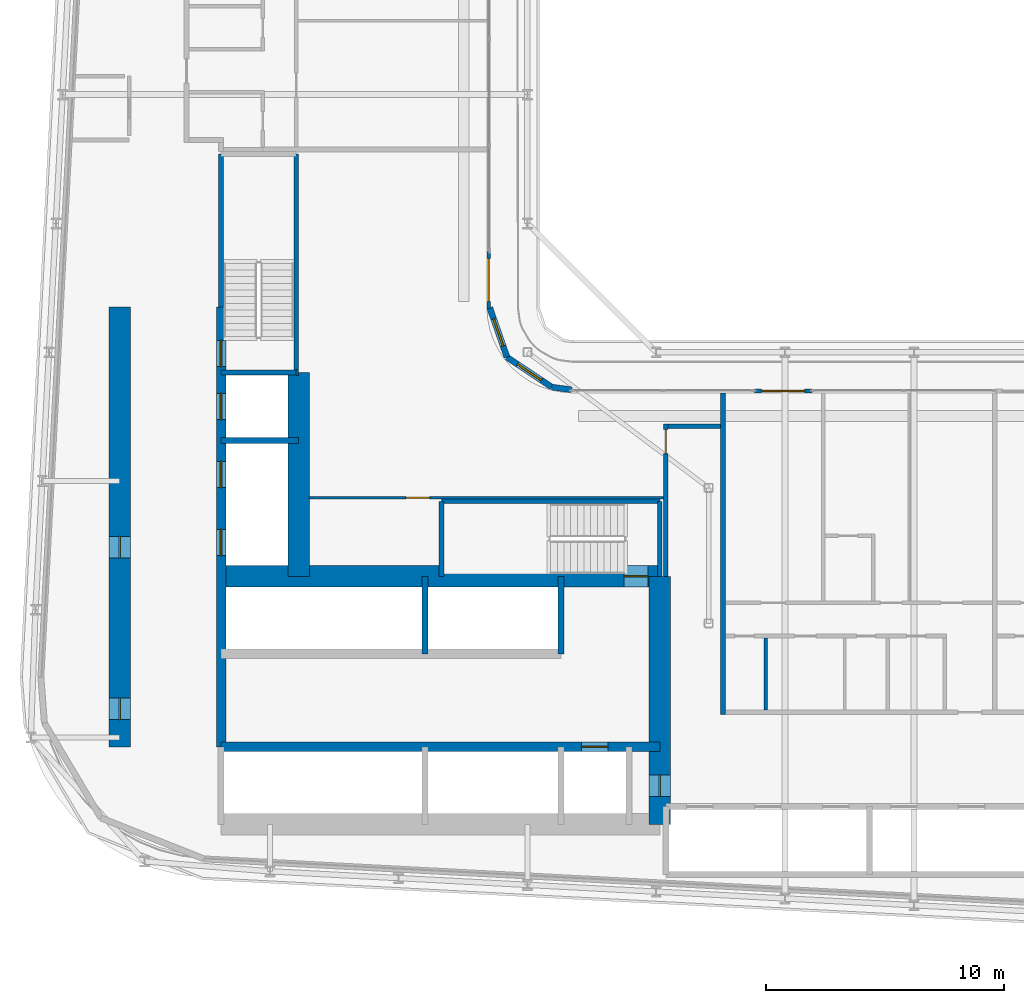
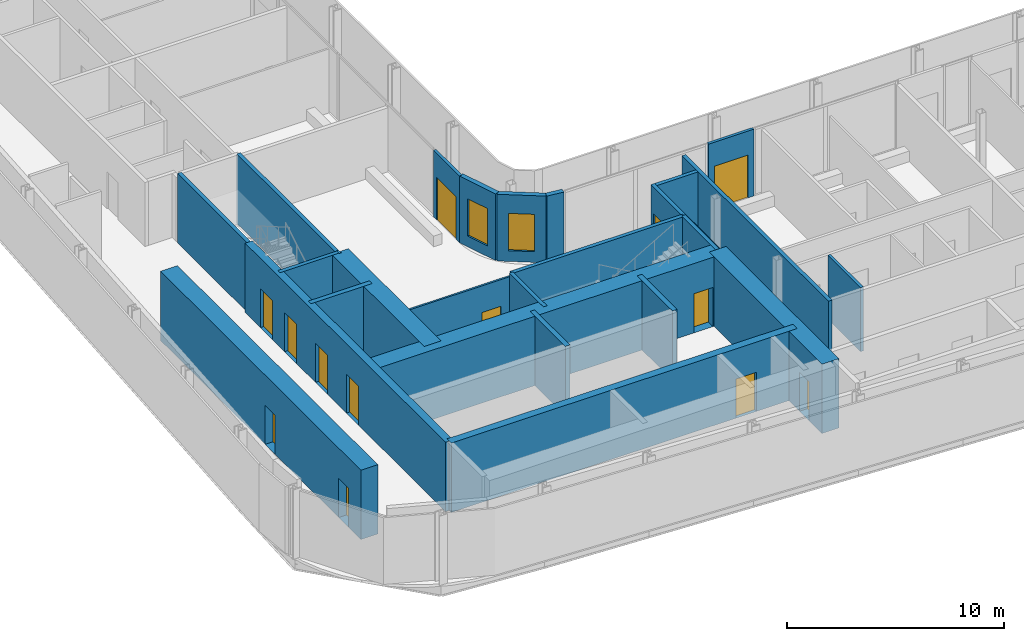
# One storey, part 12 of 25: 26 walls, 13 doors, 2 windows, 15 openings.
"""IFC4 building model written with IfcOpenShell, lengths in metres."""

import ifcopenshell
import ifcopenshell.guid

model = None  # the IFC model being written
_history = None  # IfcOwnerHistory: only IFC2X3 demands one
_inside = {}  # id of a spatial element -> (the spatial element, [elements in it])
_under = {}  # id of a project, library or spatial element -> (it, [spatial elements below it])
_declared = {}  # id of a project -> (the project, [libraries it declares])
_typed = {}  # id of a type object -> (the type object, [elements of that type])
_made_of = {}  # id of a material, layer set ... -> (it, [elements and type objects made of it])


def new_model(schema):
    """Start an empty IFC model of exactly this schema.

    Asked for "IFC4X3", IfcOpenShell would pick the latest addendum, in which some entities
    have other attributes; the version numbers below select the first issue.
    IFC2X3 requires an IfcOwnerHistory on every rooted entity: one is made here for all.
    """
    global model, _history
    if schema == "IFC4X3":
        model = ifcopenshell.file(schema_version=(4, 3, 0, 0))
    else:
        model = ifcopenshell.file(schema=schema)
    _inside.clear()
    _under.clear()
    _declared.clear()
    _typed.clear()
    _made_of.clear()
    _history = None
    if model.schema == "IFC2X3":
        org = make("IfcOrganization", Name="unknown")
        user = make(
            "IfcPersonAndOrganization",
            ThePerson=make("IfcPerson", FamilyName="unknown"),
            TheOrganization=org,
        )
        app = make(
            "IfcApplication",
            ApplicationDeveloper=org,
            Version="unknown",
            ApplicationFullName="unknown",
            ApplicationIdentifier="unknown",
        )
        _history = make(
            "IfcOwnerHistory",
            OwningUser=user,
            OwningApplication=app,
            ChangeAction="ADDED",
            CreationDate=0,
        )
    return model


def make(cls, **values):
    """One entity of the class cls with the attributes given. An attribute that is None is left unset."""
    return model.create_entity(
        cls, **{name: value for name, value in values.items() if value is not None}
    )


def rooted(cls, **values):
    """An entity with a GlobalId (a new one), such as an element, a storey or a relation."""
    return make(cls, GlobalId=ifcopenshell.guid.new(), OwnerHistory=_history, **values)


def si_unit(unit_type, name, prefix=None):
    """IfcSIUnit, for example si_unit("LENGTHUNIT", "METRE", prefix="MILLI")."""
    return make("IfcSIUnit", UnitType=unit_type, Prefix=prefix, Name=name)


def assignment(units):
    """IfcUnitAssignment: the units of a project."""
    return None if units is None else make("IfcUnitAssignment", Units=units)


def point(xyz):
    """IfcCartesianPoint."""
    return None if xyz is None else make("IfcCartesianPoint", Coordinates=xyz)


def direction(xyz):
    """IfcDirection."""
    return None if xyz is None else make("IfcDirection", DirectionRatios=xyz)


def frame(location, z_axis=None, x_axis=None):
    """IfcAxis2Placement3D, a coordinate frame: its origin and axes. An axis left out is left unset."""
    return make(
        "IfcAxis2Placement3D",
        Location=point(location),
        Axis=direction(z_axis),
        RefDirection=direction(x_axis),
    )


def frame_2d(location, x_axis=None):
    """IfcAxis2Placement2D, a coordinate frame in the plane: its origin and x axis."""
    return make(
        "IfcAxis2Placement2D", Location=point(location), RefDirection=direction(x_axis)
    )


def origin():
    """The frame at (0, 0, 0) with its axes left unset."""
    return frame((0.0, 0.0, 0.0))


def place(relative_to, where):
    """IfcLocalPlacement: puts the frame where relative to a parent placement (None: the world)."""
    return make(
        "IfcLocalPlacement", PlacementRelTo=relative_to, RelativePlacement=where
    )


def context(
    kind, dimensions, precision=None, world=None, true_north=None, identifier=None
):
    """IfcGeometricRepresentationContext, for example the 3D "Model" context."""
    return make(
        "IfcGeometricRepresentationContext",
        ContextIdentifier=identifier,
        ContextType=kind,
        CoordinateSpaceDimension=dimensions,
        Precision=precision,
        WorldCoordinateSystem=world,
        TrueNorth=true_north,
    )


def subcontext(parent, identifier, kind, view, scale=None):
    """IfcGeometricRepresentationSubContext, for example "Body" below "Model"."""
    return make(
        "IfcGeometricRepresentationSubContext",
        ContextIdentifier=identifier,
        ContextType=kind,
        ParentContext=parent,
        TargetScale=scale,
        TargetView=view,
    )


def project(units=None, contexts=None):
    """IfcProject with its units and contexts."""
    return rooted(
        "IfcProject",
        Name="project",
        RepresentationContexts=contexts,
        UnitsInContext=assignment(units),
    )


def spatial(cls, under=None, at=None, **own):
    """A site, building, storey or space (cls), placed at a placement, below another one or the project."""
    s = rooted(cls, ObjectPlacement=at, **own)
    if under is not None:
        _under.setdefault(under.id(), (under, []))[1].append(s)
    return s


def profile(cls, at=None, kind="AREA", **sizes):
    """A parametric profile (cls). Its sizes go by their IFC names, for example OverallWidth=200.0."""
    return make(cls, ProfileType=kind, Position=at, **sizes)


def rectangle(**sizes):
    """IfcRectangleProfileDef."""
    return profile("IfcRectangleProfileDef", **sizes)


def extrude(swept, where, along, depth):
    """IfcExtrudedAreaSolid: the profile swept, set in the frame where, extruded along a direction by depth."""
    return make(
        "IfcExtrudedAreaSolid",
        SweptArea=swept,
        Position=where,
        ExtrudedDirection=direction(along),
        Depth=depth,
    )


def shape(context_of_items, identifier, shape_type, items):
    """IfcShapeRepresentation: the items that make up one representation, for example the "Body"."""
    return make(
        "IfcShapeRepresentation",
        ContextOfItems=context_of_items,
        RepresentationIdentifier=identifier,
        RepresentationType=shape_type,
        Items=items,
    )


def source(mapping_origin, context_of_items, identifier, shape_type, items):
    """IfcRepresentationMap: a shape defined once, which mapped items show again and again."""
    return make(
        "IfcRepresentationMap",
        MappingOrigin=mapping_origin,
        MappedRepresentation=shape(context_of_items, identifier, shape_type, items),
    )


def transform(
    local_origin,
    x_axis=None,
    y_axis=None,
    z_axis=None,
    scale=None,
    scale2=None,
    scale3=None,
    uniform=True,
):
    """IfcCartesianTransformationOperator3D, or its non-uniform kind. x_axis, y_axis, z_axis: its Axis1, 2, 3."""
    if uniform:
        return make(
            "IfcCartesianTransformationOperator3D",
            Axis1=direction(x_axis),
            Axis2=direction(y_axis),
            LocalOrigin=point(local_origin),
            Scale=scale,
            Axis3=direction(z_axis),
        )
    return make(
        "IfcCartesianTransformationOperator3DnonUniform",
        Axis1=direction(x_axis),
        Axis2=direction(y_axis),
        LocalOrigin=point(local_origin),
        Scale=scale,
        Axis3=direction(z_axis),
        Scale2=scale2,
        Scale3=scale3,
    )


def mapped(mapping_source, mapping_target):
    """IfcMappedItem: shows the shape of a source again, moved by a transform."""
    return make(
        "IfcMappedItem", MappingSource=mapping_source, MappingTarget=mapping_target
    )


def material(Name=None, Category=None):
    """IfcMaterial."""
    return make("IfcMaterial", Name=Name, Category=Category)


def layer(
    of_material, thickness, ventilated=None, Name=None, Category=None, Priority=None
):
    """IfcMaterialLayer: one layer of a wall or slab, of a material (None: an air gap)."""
    return make(
        "IfcMaterialLayer",
        Material=of_material,
        LayerThickness=thickness,
        IsVentilated=ventilated,
        Name=Name,
        Category=Category,
        Priority=Priority,
    )


def layer_set(layers, Name=None):
    """IfcMaterialLayerSet."""
    return make("IfcMaterialLayerSet", MaterialLayers=layers, LayerSetName=Name)


def made_of(thing, what):
    """Note that an element or type object is made of a material, layer set ...; save() writes the relation."""
    if what is not None:
        _made_of.setdefault(what.id(), (what, []))[1].append(thing)
    return thing


def type_object(cls, material=None, **own):
    """A type object (cls), such as IfcWallType, which elements share."""
    return made_of(rooted(cls, **own), material)


def element(
    cls,
    number,
    at=None,
    inside=None,
    cuts=None,
    type_object=None,
    material=None,
    context=None,
    identifier="Body",
    shape_type=None,
    held_by="IfcProductDefinitionShape",
    body=None,
    shapes=None,
    **own,
):
    """One element of the class cls, such as IfcWall. Its Tag is "e" and its number.

    at: its placement. inside: the storey or other place that contains it. cuts: it is an
    opening in that element (IfcRelVoidsElement). A single representation is given by context,
    identifier, shape_type and body (its items); several are given by shapes. held_by: the class
    of the entity that holds the representations. save() writes the other relations.
    """
    e = rooted(cls, Tag="e%d" % number, ObjectPlacement=at, **own)
    if body is not None:
        shapes = [shape(context, identifier, shape_type, body)]
    if shapes is not None:
        e.Representation = make(held_by, Representations=shapes)
    if inside is not None:
        _inside.setdefault(inside.id(), (inside, []))[1].append(e)
    if cuts is not None:
        rooted(
            "IfcRelVoidsElement", RelatingBuildingElement=cuts, RelatedOpeningElement=e
        )
    if type_object is not None:
        _typed.setdefault(type_object.id(), (type_object, []))[1].append(e)
    return made_of(e, material)


def fill(opening, filler):
    """IfcRelFillsElement: the door or window that sits in an opening."""
    return rooted(
        "IfcRelFillsElement",
        RelatingOpeningElement=opening,
        RelatedBuildingElement=filler,
    )


def aggregate(whole, parts):
    """IfcRelAggregates: a whole, such as a stair, and the parts it consists of."""
    return rooted("IfcRelAggregates", RelatingObject=whole, RelatedObjects=parts)


def save(model, path):
    """Write the relations noted so far, then the file.

    IfcRelAggregates (storeys below a building ...), IfcRelContainedInSpatialStructure (elements
    in a storey), IfcRelDefinesByType, IfcRelAssociatesMaterial and IfcRelDeclares: one each for
    every whole, place, type object, material and project.
    """
    for whole, parts in _under.values():
        aggregate(whole, parts)
    for where, things in _inside.values():
        rooted(
            "IfcRelContainedInSpatialStructure",
            RelatedElements=things,
            RelatingStructure=where,
        )
    for kind, things in _typed.values():
        rooted("IfcRelDefinesByType", RelatedObjects=things, RelatingType=kind)
    for what, things in _made_of.values():
        rooted("IfcRelAssociatesMaterial", RelatedObjects=things, RelatingMaterial=what)
    for by, libraries in _declared.values():
        rooted("IfcRelDeclares", RelatingContext=by, RelatedDefinitions=libraries)
    model.write(path)


model = new_model("IFC4")

# Units and contexts
model_context = context("Model", 3, precision=1e-05, world=origin(), true_north=direction((0.0, 1.0)))
body_context = subcontext(model_context, "Body", "Model", "MODEL_VIEW")
ifc_project = project(units=[si_unit("LENGTHUNIT", "METRE"), si_unit("AREAUNIT", "SQUARE_METRE"), si_unit("VOLUMEUNIT", "CUBIC_METRE"), si_unit("PLANEANGLEUNIT", "RADIAN"), si_unit("MASSUNIT", "GRAM", prefix="KILO")], contexts=[model_context])

# Site, building, storey
site_placement = place(None, origin())
site = spatial("IfcSite", under=ifc_project, at=site_placement, CompositionType="ELEMENT")
building_placement = place(site_placement, origin())
building = spatial("IfcBuilding", under=site, at=building_placement, Name="Kheshtan School and Residences Tower", CompositionType="ELEMENT")
storey_placement = place(building_placement, frame((0.0, 0.0, 113.60009765625)))
storey = spatial("IfcBuildingStorey", under=building, at=storey_placement, Name="L26", CompositionType="ELEMENT", Elevation=113.60009765625)

# Wall, opening, door
ifc_material_1 = material(Name="Concrete C50/60", Category="concrete")
ifc_layer_1 = layer(ifc_material_1, 0.39990234375)
ifc_layer_set_1 = layer_set([ifc_layer_1], Name="Core wall 400 Concrete C50/60")
wall_type_1 = type_object("IfcWallType", Name="Core wall 400 Concrete C50/60", PredefinedType="SHEAR", material=ifc_layer_set_1)
wall_1_placement = place(storey_placement, frame((34.75, 29.050048828125, 0.0), z_axis=(0.0, 0.0, 1.0), x_axis=(1.0, 0.0, 0.0)))
wall_1 = element("IfcWall", 1, at=wall_1_placement, inside=storey, type_object=wall_type_1, Name="Core wall CW-HALL-S1", PredefinedType="SHEAR", context=body_context, shape_type="SweptSolid", body=[
    extrude(rectangle(XDim=18.39990234375, YDim=0.39990234375, at=frame_2d((9.199951171875, 0.0))), origin(), (0.0, 0.0, 1.0), 3.89990234375),
])
opening_1_placement = place(wall_1_placement, frame((15.125, 0.0, 0.0)))
opening_1 = element("IfcOpeningElement", 2, at=opening_1_placement, cuts=wall_1, Name="Opening LD", PredefinedType="OPENING", context=body_context, shape_type="SweptSolid", body=[
    extrude(rectangle(XDim=1.10009765625, YDim=2.199951171875, at=frame_2d((0.550048828125, 1.10009765625))), frame((0.0, 0.2099609375, 0.0), z_axis=(0.0, -1.0, 0.0), x_axis=(1.0, 0.0, 0.0)), (0.0, 0.0, 1.0), 0.419921875),
])
ifc_material_2 = material(Name="Stainless steel door leaves", Category="steel")
door_type_1 = type_object("IfcDoorType", Name="Lift landing door 1100", OperationType="SLIDING_TO_LEFT", PredefinedType="DOOR", material=ifc_material_2)
shared_shape_1 = source(origin(), body_context, "Body", "SweptSolid", [
    extrude(rectangle(XDim=1.10009765625, YDim=2.199951171875, at=frame_2d((0.550048828125, 1.10009765625))), frame((0.0, 0.02490234375, 0.0), z_axis=(0.0, -1.0, 0.0), x_axis=(1.0, 0.0, 0.0)), (0.0, 0.0, 1.0), 0.050048828125),
])
door_1_placement = place(opening_1_placement, origin())
door_1 = element("IfcDoor", 3, at=door_1_placement, inside=storey, type_object=door_type_1, Name="Lift FFL2 landing door", OperationType="SLIDING_TO_LEFT", OverallHeight=2.199951171875, OverallWidth=1.10009765625, PredefinedType="DOOR", context=body_context, shape_type="MappedRepresentation", body=[
    mapped(shared_shape_1, transform((0.0, 0.0, 0.0), x_axis=(1.0, 0.0, 0.0), y_axis=(0.0, 1.0, 0.0), z_axis=(0.0, 0.0, 1.0), scale=1.0)),
])
fill(opening_1, door_1)

# Wall, openings, doors
wall_2_placement = place(storey_placement, frame((34.75, 29.050048828125, 0.0), z_axis=(0.0, 0.0, 1.0), x_axis=(0.0, 1.0, 0.0)))
wall_2 = element("IfcWall", 4, at=wall_2_placement, inside=storey, type_object=wall_type_1, Name="Core wall CW-HALL-W1", PredefinedType="SHEAR", context=body_context, shape_type="SweptSolid", body=[
    extrude(rectangle(XDim=18.449951171875, YDim=0.39990234375, at=frame_2d((9.22509765625, 0.0))), origin(), (0.0, 0.0, 1.0), 3.89990234375),
])
opening_2_placement = place(wall_2_placement, frame((8.02490234375, 0.0, 0.0)))
opening_2 = element("IfcOpeningElement", 5, at=opening_2_placement, cuts=wall_2, Name="Opening LD", PredefinedType="OPENING", context=body_context, shape_type="SweptSolid", body=[
    extrude(rectangle(XDim=1.10009765625, YDim=2.199951171875, at=frame_2d((0.550048828125, 1.10009765625))), frame((0.0, 0.2099609375, 0.0), z_axis=(0.0, -1.0, 0.0), x_axis=(1.0, 0.0, 0.0)), (0.0, 0.0, 1.0), 0.419921875),
])
opening_3_placement = place(wall_2_placement, frame((10.875, 0.0, 0.0)))
opening_3 = element("IfcOpeningElement", 6, at=opening_3_placement, cuts=wall_2, Name="Opening LD", PredefinedType="OPENING", context=body_context, shape_type="SweptSolid", body=[
    extrude(rectangle(XDim=1.10009765625, YDim=2.199951171875, at=frame_2d((0.550048828125, 1.10009765625))), frame((0.0, 0.2099609375, 0.0), z_axis=(0.0, -1.0, 0.0), x_axis=(1.0, 0.0, 0.0)), (0.0, 0.0, 1.0), 0.419921875),
])
opening_4_placement = place(wall_2_placement, frame((13.72509765625, 0.0, 0.0)))
opening_4 = element("IfcOpeningElement", 7, at=opening_4_placement, cuts=wall_2, Name="Opening LD", PredefinedType="OPENING", context=body_context, shape_type="SweptSolid", body=[
    extrude(rectangle(XDim=1.10009765625, YDim=2.199951171875, at=frame_2d((0.550048828125, 1.10009765625))), frame((0.0, 0.2099609375, 0.0), z_axis=(0.0, -1.0, 0.0), x_axis=(1.0, 0.0, 0.0)), (0.0, 0.0, 1.0), 0.419921875),
])
opening_5_placement = place(wall_2_placement, frame((15.949951171875, 0.0, 0.0)))
opening_5 = element("IfcOpeningElement", 8, at=opening_5_placement, cuts=wall_2, Name="Opening ST2D", PredefinedType="OPENING", context=body_context, shape_type="SweptSolid", body=[
    extrude(rectangle(XDim=1.10009765625, YDim=2.199951171875, at=frame_2d((0.550048828125, 1.10009765625))), frame((0.0, 0.2099609375, 0.0), z_axis=(0.0, -1.0, 0.0), x_axis=(1.0, 0.0, 0.0)), (0.0, 0.0, 1.0), 0.419921875),
])
door_2_placement = place(opening_2_placement, origin())
door_2 = element("IfcDoor", 9, at=door_2_placement, inside=storey, type_object=door_type_1, Name="Lift SV1 landing door", OperationType="SLIDING_TO_LEFT", OverallHeight=2.199951171875, OverallWidth=1.10009765625, PredefinedType="DOOR", context=body_context, shape_type="MappedRepresentation", body=[
    mapped(shared_shape_1, transform((0.0, 0.0, 0.0), x_axis=(1.0, 0.0, 0.0), y_axis=(0.0, 1.0, 0.0), z_axis=(0.0, 0.0, 1.0), scale=1.0)),
])
fill(opening_2, door_2)
door_3_placement = place(opening_3_placement, origin())
door_3 = element("IfcDoor", 10, at=door_3_placement, inside=storey, type_object=door_type_1, Name="Lift SV2 landing door", OperationType="SLIDING_TO_LEFT", OverallHeight=2.199951171875, OverallWidth=1.10009765625, PredefinedType="DOOR", context=body_context, shape_type="MappedRepresentation", body=[
    mapped(shared_shape_1, transform((0.0, 0.0, 0.0), x_axis=(1.0, 0.0, 0.0), y_axis=(0.0, 1.0, 0.0), z_axis=(0.0, 0.0, 1.0), scale=1.0)),
])
fill(opening_3, door_3)
door_4_placement = place(opening_4_placement, origin())
door_4 = element("IfcDoor", 11, at=door_4_placement, inside=storey, type_object=door_type_1, Name="Lift FFL1 landing door", OperationType="SLIDING_TO_LEFT", OverallHeight=2.199951171875, OverallWidth=1.10009765625, PredefinedType="DOOR", context=body_context, shape_type="MappedRepresentation", body=[
    mapped(shared_shape_1, transform((0.0, 0.0, 0.0), x_axis=(1.0, 0.0, 0.0), y_axis=(0.0, 1.0, 0.0), z_axis=(0.0, 0.0, 1.0), scale=1.0)),
])
fill(opening_4, door_4)
ifc_material_3 = material(Name="Steel door leaf, galvanised", Category="steel")
door_type_2 = type_object("IfcDoorType", Name="Stair door 1100 steel 90 min", OperationType="SINGLE_SWING_LEFT", PredefinedType="DOOR", material=ifc_material_3)
shared_shape_2 = source(origin(), body_context, "Body", "SweptSolid", [
    extrude(rectangle(XDim=1.10009765625, YDim=2.199951171875, at=frame_2d((0.550048828125, 1.10009765625))), frame((0.0, 0.02490234375, 0.0), z_axis=(0.0, -1.0, 0.0), x_axis=(1.0, 0.0, 0.0)), (0.0, 0.0, 1.0), 0.050048828125),
])
door_5_placement = place(opening_5_placement, origin())
door_5 = element("IfcDoor", 12, at=door_5_placement, inside=storey, type_object=door_type_2, Name="Stair ST2 door", OperationType="SINGLE_SWING_RIGHT", OverallHeight=2.199951171875, OverallWidth=1.10009765625, PredefinedType="DOOR", context=body_context, shape_type="MappedRepresentation", body=[
    mapped(shared_shape_2, transform((0.0, 0.0, 0.0), x_axis=(1.0, 0.0, 0.0), y_axis=(0.0, 1.0, 0.0), z_axis=(0.0, 0.0, 1.0), scale=1.0)),
])
fill(opening_5, door_5)

# Wall, opening, door
ifc_material_4 = material(Name="Concrete C80/95", Category="concrete")
ifc_layer_2 = layer(ifc_material_4, 0.89990234375)
ifc_layer_set_2 = layer_set([ifc_layer_2], Name="Core wall 900 Concrete C80/95")
wall_type_2 = type_object("IfcWallType", Name="Core wall 900 Concrete C80/95", PredefinedType="SHEAR", material=ifc_layer_set_2)
wall_3_placement = place(storey_placement, frame((34.75, 36.199951171875, 0.0), z_axis=(0.0, 0.0, 1.0), x_axis=(1.0, 0.0, 0.0)))
wall_3 = element("IfcWall", 13, at=wall_3_placement, inside=storey, type_object=wall_type_2, Name="Core wall CW-FRONT-S", PredefinedType="SHEAR", context=body_context, shape_type="SweptSolid", body=[
    extrude(rectangle(XDim=18.39990234375, YDim=0.89990234375, at=frame_2d((9.199951171875, 0.0))), origin(), (0.0, 0.0, 1.0), 3.89990234375),
])
opening_6_placement = place(wall_3_placement, frame((16.89990234375, 0.0, 0.0)))
opening_6 = element("IfcOpeningElement", 14, at=opening_6_placement, cuts=wall_3, Name="Opening ST1D", PredefinedType="OPENING", context=body_context, shape_type="SweptSolid", body=[
    extrude(rectangle(XDim=1.0, YDim=2.199951171875, at=frame_2d((0.5, 1.10009765625))), frame((0.0, 0.4599609375, 0.0), z_axis=(0.0, -1.0, 0.0), x_axis=(1.0, 0.0, 0.0)), (0.0, 0.0, 1.0), 0.919921875),
])
shared_shape_3 = source(origin(), body_context, "Body", "SweptSolid", [
    extrude(rectangle(XDim=1.0, YDim=2.199951171875, at=frame_2d((0.5, 1.10009765625))), frame((0.0, 0.02490234375, 0.0), z_axis=(0.0, -1.0, 0.0), x_axis=(1.0, 0.0, 0.0)), (0.0, 0.0, 1.0), 0.050048828125),
])
door_6_placement = place(opening_6_placement, origin())
door_6 = element("IfcDoor", 15, at=door_6_placement, inside=storey, type_object=door_type_2, Name="Stair ST1 door", OperationType="SINGLE_SWING_RIGHT", OverallHeight=2.199951171875, OverallWidth=1.0, PredefinedType="DOOR", context=body_context, shape_type="MappedRepresentation", body=[
    mapped(shared_shape_3, transform((0.0, 0.0, 0.0), x_axis=(1.0, 0.0, 0.0), y_axis=(0.0, 1.0, 0.0), z_axis=(0.0, 0.0, 1.0), scale=1.0)),
])
fill(opening_6, door_6)

# Wall
wall_4_placement = place(storey_placement, frame((38.0, 36.199951171875, 0.0), z_axis=(0.0, 0.0, 1.0), x_axis=(0.0, 1.0, 0.0)))
element("IfcWall", 16, at=wall_4_placement, inside=storey, type_object=wall_type_2, Name="Core wall CW-FRONT-W", PredefinedType="SHEAR", context=body_context, shape_type="SweptSolid", body=[
    extrude(rectangle(XDim=8.550048828125, YDim=0.89990234375, at=frame_2d((4.27490234375, 0.0))), origin(), (0.0, 0.0, 1.0), 3.89990234375),
])

# Wall, openings, doors
wall_5_placement = place(storey_placement, frame((30.5, 29.050048828125, 0.0), z_axis=(0.0, 0.0, 1.0), x_axis=(0.0, 1.0, 0.0)))
wall_5 = element("IfcWall", 17, at=wall_5_placement, inside=storey, type_object=wall_type_2, Name="Core wall CW-REAR-W", PredefinedType="SHEAR", context=body_context, shape_type="SweptSolid", body=[
    extrude(rectangle(XDim=18.449951171875, YDim=0.89990234375, at=frame_2d((9.22509765625, 0.0))), origin(), (0.0, 0.0, 1.0), 3.89990234375),
])
opening_7_placement = place(wall_5_placement, frame((1.14697265625, 0.0, 0.0)))
opening_7 = element("IfcOpeningElement", 18, at=opening_7_placement, cuts=wall_5, Name="Opening SR90", PredefinedType="OPENING", context=body_context, shape_type="SweptSolid", body=[
    extrude(rectangle(XDim=0.89990234375, YDim=2.199951171875, at=frame_2d((0.449951171875, 1.10009765625))), frame((0.0, 0.4599609375, 0.0), z_axis=(0.0, -1.0, 0.0), x_axis=(1.0, 0.0, 0.0)), (0.0, 0.0, 1.0), 0.919921875),
])
opening_8_placement = place(wall_5_placement, frame((7.925048828125, 0.0, 0.0)))
opening_8 = element("IfcOpeningElement", 19, at=opening_8_placement, cuts=wall_5, Name="Opening SR90", PredefinedType="OPENING", context=body_context, shape_type="SweptSolid", body=[
    extrude(rectangle(XDim=0.89990234375, YDim=2.199951171875, at=frame_2d((0.449951171875, 1.10009765625))), frame((0.0, 0.4599609375, 0.0), z_axis=(0.0, -1.0, 0.0), x_axis=(1.0, 0.0, 0.0)), (0.0, 0.0, 1.0), 0.919921875),
])
door_type_3 = type_object("IfcDoorType", Name="Service room door 900 steel 90 min", OperationType="SINGLE_SWING_LEFT", PredefinedType="DOOR", material=ifc_material_3)
shared_shape_4 = source(origin(), body_context, "Body", "SweptSolid", [
    extrude(rectangle(XDim=0.89990234375, YDim=2.199951171875, at=frame_2d((0.449951171875, 1.10009765625))), frame((0.0, 0.02490234375, 0.0), z_axis=(0.0, -1.0, 0.0), x_axis=(1.0, 0.0, 0.0)), (0.0, 0.0, 1.0), 0.050048828125),
])
door_7_placement = place(opening_7_placement, origin())
door_7 = element("IfcDoor", 20, at=door_7_placement, inside=storey, type_object=door_type_3, Name="Service room door", OperationType="SINGLE_SWING_LEFT", OverallHeight=2.199951171875, OverallWidth=0.89990234375, PredefinedType="DOOR", context=body_context, shape_type="MappedRepresentation", body=[
    mapped(shared_shape_4, transform((0.0, 0.0, 0.0), x_axis=(1.0, 0.0, 0.0), y_axis=(0.0, 1.0, 0.0), z_axis=(0.0, 0.0, 1.0), scale=1.0)),
])
fill(opening_7, door_7)
door_8_placement = place(opening_8_placement, origin())
door_8 = element("IfcDoor", 21, at=door_8_placement, inside=storey, type_object=door_type_3, Name="Service room door", OperationType="SINGLE_SWING_LEFT", OverallHeight=2.199951171875, OverallWidth=0.89990234375, PredefinedType="DOOR", context=body_context, shape_type="MappedRepresentation", body=[
    mapped(shared_shape_4, transform((0.0, 0.0, 0.0), x_axis=(1.0, 0.0, 0.0), y_axis=(0.0, 1.0, 0.0), z_axis=(0.0, 0.0, 1.0), scale=1.0)),
])
fill(opening_8, door_8)

# Wall, opening, door
wall_6_placement = place(storey_placement, frame((53.14990234375, 25.800048828125, 0.0), z_axis=(0.0, 0.0, 1.0), x_axis=(0.0, 1.0, 0.0)))
wall_6 = element("IfcWall", 22, at=wall_6_placement, inside=storey, type_object=wall_type_2, Name="Core wall CW-EAST", PredefinedType="SHEAR", context=body_context, shape_type="SweptSolid", body=[
    extrude(rectangle(XDim=10.39990234375, YDim=0.89990234375, at=frame_2d((5.199951171875, 0.0))), origin(), (0.0, 0.0, 1.0), 3.89990234375),
])
opening_9_placement = place(wall_6_placement, frame((1.175048828125, 0.0, 0.0)))
opening_9 = element("IfcOpeningElement", 23, at=opening_9_placement, cuts=wall_6, Name="Opening SR90", PredefinedType="OPENING", context=body_context, shape_type="SweptSolid", body=[
    extrude(rectangle(XDim=0.89990234375, YDim=2.199951171875, at=frame_2d((0.449951171875, 1.10009765625))), frame((0.0, 0.4599609375, 0.0), z_axis=(0.0, -1.0, 0.0), x_axis=(1.0, 0.0, 0.0)), (0.0, 0.0, 1.0), 0.919921875),
])
door_9_placement = place(opening_9_placement, origin())
door_9 = element("IfcDoor", 24, at=door_9_placement, inside=storey, type_object=door_type_3, Name="Service room door", OperationType="SINGLE_SWING_RIGHT", OverallHeight=2.199951171875, OverallWidth=0.89990234375, PredefinedType="DOOR", context=body_context, shape_type="MappedRepresentation", body=[
    mapped(shared_shape_4, transform((0.0, 0.0, 0.0), x_axis=(1.0, 0.0, 0.0), y_axis=(0.0, 1.0, 0.0), z_axis=(0.0, 0.0, 1.0), scale=1.0)),
])
fill(opening_9, door_9)

ifc_material_5 = material(Name="Gypsum board on steel studs with fire boards", Category="steel")
ifc_layer_3 = layer(ifc_material_5, 0.199951171875)
ifc_layer_set_3 = layer_set([ifc_layer_3], Name="Corridor wall 200")
wall_type_3 = type_object("IfcWallType", Name="Corridor wall 200", PredefinedType="PARTITIONING", material=ifc_layer_set_3)
wall_7_placement = place(storey_placement, frame((53.39990234375, 36.198974609375, 0.0), z_axis=(0.0, 0.0, 1.0), x_axis=(0.0, 1.0, 0.0)))
wall_7 = element("IfcWall", 25, at=wall_7_placement, inside=storey, type_object=wall_type_3, Name="Partition L26-030", PredefinedType="PARTITIONING", context=body_context, shape_type="SweptSolid", body=[
    extrude(rectangle(XDim=6.401123046875, YDim=0.199951171875, at=frame_2d((3.20068359375, 0.0))), origin(), (0.0, 0.0, 1.0), 3.599853515625),
])
opening_10_placement = place(wall_7_placement, frame((5.15087890625, 0.0, 0.0)))
opening_10 = element("IfcOpeningElement", 26, at=opening_10_placement, cuts=wall_7, Name="Opening D25-051", PredefinedType="OPENING", context=body_context, shape_type="SweptSolid", body=[
    extrude(rectangle(XDim=1.0, YDim=2.10009765625, at=frame_2d((0.5, 1.050048828125))), frame((0.0, 0.10986328125, 0.0), z_axis=(0.0, -1.0, 0.0), x_axis=(1.0, 0.0, 0.0)), (0.0, 0.0, 1.0), 0.219970703125),
])
ifc_material_6 = material(Name="Steel-framed fire-resisting door leaf", Category="steel")
door_type_4 = type_object("IfcDoorType", Name="Fire door FD60 1000 x 2100", OperationType="SINGLE_SWING_LEFT", PredefinedType="DOOR", material=ifc_material_6)
shared_shape_5 = source(origin(), body_context, "Body", "SweptSolid", [
    extrude(rectangle(XDim=1.0, YDim=2.10009765625, at=frame_2d((0.5, 1.050048828125))), frame((0.0, 0.02490234375, 0.0), z_axis=(0.0, -1.0, 0.0), x_axis=(1.0, 0.0, 0.0)), (0.0, 0.0, 1.0), 0.050048828125),
])
door_10_placement = place(opening_10_placement, origin())
door_10 = element("IfcDoor", 27, at=door_10_placement, inside=storey, type_object=door_type_4, Name="Door D25-051", OperationType="SINGLE_SWING_LEFT", OverallHeight=2.10009765625, OverallWidth=1.0, PredefinedType="DOOR", context=body_context, shape_type="MappedRepresentation", body=[
    mapped(shared_shape_5, transform((0.0, 0.0, 0.0), x_axis=(1.0, 0.0, 0.0), y_axis=(0.0, 1.0, 0.0), z_axis=(0.0, 0.0, 1.0), scale=1.0)),
])
fill(opening_10, door_10)

# Wall
wall_8_placement = place(storey_placement, frame((53.5, 42.5, 0.0), z_axis=(0.0, 0.0, 1.0), x_axis=(1.0, 0.0, 0.0)))
element("IfcWall", 28, at=wall_8_placement, inside=storey, type_object=wall_type_3, Name="Partition L26-031", PredefinedType="PARTITIONING", context=body_context, shape_type="SweptSolid", body=[
    extrude(rectangle(XDim=2.199951171875, YDim=0.199951171875, at=frame_2d((1.10009765625, 0.0))), origin(), (0.0, 0.0, 1.0), 3.599853515625),
])

# Wall, opening, window
ifc_material_7 = material(Name="Concrete C40/50 with ceramic cladding and mineral wool insulation", Category="concrete")
ifc_layer_4 = layer(ifc_material_7, 0.25)
ifc_layer_set_4 = layer_set([ifc_layer_4], Name="External wall 250 ceramic clad")
wall_type_4 = type_object("IfcWallType", Name="External wall 250 ceramic clad", PredefinedType="SOLIDWALL", material=ifc_layer_set_4)
wall_9_placement = place(storey_placement, frame((46.01806640625, 47.470947265625, 0.0), z_axis=(0.0, 0.0, 1.0), x_axis=(0.328791208903, -0.944402637093, 0.0)))
wall_9 = element("IfcWall", 29, at=wall_9_placement, inside=storey, type_object=wall_type_4, Name="External wall L26 5", PredefinedType="SOLIDWALL", context=body_context, shape_type="SweptSolid", body=[
    extrude(rectangle(XDim=2.20458984375, YDim=0.25, at=frame_2d((1.102294921875, 0.0))), origin(), (0.0, 0.0, 1.0), 3.75),
])
opening_11_placement = place(wall_9_placement, frame((0.5029296875, 0.0, 0.60009765625)))
opening_11 = element("IfcOpeningElement", 30, at=opening_11_placement, cuts=wall_9, Name="Opening WN-E", PredefinedType="OPENING", context=body_context, shape_type="SweptSolid", body=[
    extrude(rectangle(XDim=1.199951171875, YDim=2.10009765625, at=frame_2d((0.60009765625, 1.050048828125))), frame((0.0, 0.135009765625, 0.0), z_axis=(0.0, -1.0, 0.0), x_axis=(1.0, 0.0, 0.0)), (0.0, 0.0, 1.0), 0.27001953125),
])
ifc_material_8 = material(Name="Clear low-e glass in thermally broken aluminium frame", Category="aluminium")
window_type = type_object("IfcWindowType", Name="Window WN-E", PartitioningType="SINGLE_PANEL", PredefinedType="WINDOW", material=ifc_material_8)
shared_shape_6 = source(origin(), body_context, "Body", "SweptSolid", [
    extrude(rectangle(XDim=1.199951171875, YDim=2.10009765625, at=frame_2d((0.60009765625, 1.050048828125))), frame((0.0, 0.030029296875, 0.0), z_axis=(0.0, -1.0, 0.0), x_axis=(1.0, 0.0, 0.0)), (0.0, 0.0, 1.0), 0.06005859375),
])
window_1_placement = place(opening_11_placement, origin())
window_1 = element("IfcWindow", 31, at=window_1_placement, inside=storey, type_object=window_type, Name="Window L26 5", OverallHeight=2.10009765625, OverallWidth=1.199951171875, PartitioningType="SINGLE_PANEL", PredefinedType="WINDOW", context=body_context, shape_type="MappedRepresentation", body=[
    mapped(shared_shape_6, transform((0.0, 0.0, 0.0), x_axis=(1.0, 0.0, 0.0), y_axis=(0.0, 1.0, 0.0), z_axis=(0.0, 0.0, 1.0), scale=1.0)),
])
fill(opening_11, window_1)

wall_10_placement = place(storey_placement, frame((46.742919921875, 45.388916015625, 0.0), z_axis=(0.0, 0.0, 1.0), x_axis=(0.831449265529, -0.555600682912, 0.0)))
wall_10 = element("IfcWall", 32, at=wall_10_placement, inside=storey, type_object=wall_type_4, Name="External wall L26 6", PredefinedType="SOLIDWALL", context=body_context, shape_type="SweptSolid", body=[
    extrude(rectangle(XDim=2.25146484375, YDim=0.25, at=frame_2d((1.125732421875, 0.0))), origin(), (0.0, 0.0, 1.0), 3.75),
])
opening_12_placement = place(wall_10_placement, frame((0.52490234375, 0.0, 0.60009765625)))
opening_12 = element("IfcOpeningElement", 33, at=opening_12_placement, cuts=wall_10, Name="Opening WN-E", PredefinedType="OPENING", context=body_context, shape_type="SweptSolid", body=[
    extrude(rectangle(XDim=1.199951171875, YDim=2.10009765625, at=frame_2d((0.60009765625, 1.050048828125))), frame((0.0, 0.135009765625, 0.0), z_axis=(0.0, -1.0, 0.0), x_axis=(1.0, 0.0, 0.0)), (0.0, 0.0, 1.0), 0.27001953125),
])
window_2_placement = place(opening_12_placement, origin())
window_2 = element("IfcWindow", 34, at=window_2_placement, inside=storey, type_object=window_type, Name="Window L26 6", OverallHeight=2.10009765625, OverallWidth=1.199951171875, PartitioningType="SINGLE_PANEL", PredefinedType="WINDOW", context=body_context, shape_type="MappedRepresentation", body=[
    mapped(shared_shape_6, transform((0.0, 0.0, 0.0), x_axis=(1.0, 0.0, 0.0), y_axis=(0.0, 1.0, 0.0), z_axis=(0.0, 0.0, 1.0), scale=1.0)),
])
fill(opening_12, window_2)

# Wall
wall_11_placement = place(storey_placement, frame((48.614990234375, 44.137939453125, 0.0), z_axis=(0.0, 0.0, 1.0), x_axis=(0.990741504246, -0.135761819977, 0.0)))
element("IfcWall", 35, at=wall_11_placement, inside=storey, type_object=wall_type_4, Name="External wall L26 7", PredefinedType="SOLIDWALL", context=body_context, shape_type="SweptSolid", body=[
    extrude(rectangle(XDim=0.83984375, YDim=0.25, at=frame_2d((0.419921875, 0.0))), origin(), (0.0, 0.0, 1.0), 3.75),
])

# Wall, opening, door
ifc_material_9 = material(Name="Aluminium frame wall with insulated infill", Category="aluminium")
ifc_layer_5 = layer(ifc_material_9, 0.14990234375)
ifc_layer_set_5 = layer_set([ifc_layer_5], Name="Glazing frame wall 150")
wall_type_5 = type_object("IfcWallType", Name="Glazing frame wall 150", PredefinedType="SOLIDWALL", material=ifc_layer_set_5)
wall_12_placement = place(storey_placement, frame((45.97509765625, 49.830078125, 0.0), z_axis=(0.0, 0.0, 1.0), x_axis=(0.0, -1.0, 0.0)))
wall_12 = element("IfcWall", 36, at=wall_12_placement, inside=storey, type_object=wall_type_5, Name="Balcony door wall L26 4.4", PredefinedType="SOLIDWALL", context=body_context, shape_type="SweptSolid", body=[
    extrude(rectangle(XDim=2.400146484375, YDim=0.14990234375, at=frame_2d((1.2001953125, 0.0))), origin(), (0.0, 0.0, 1.0), 3.75),
])
opening_13_placement = place(wall_12_placement, frame((0.300048828125, 0.0, 0.0)))
opening_13 = element("IfcOpeningElement", 37, at=opening_13_placement, cuts=wall_12, Name="Opening BD", PredefinedType="OPENING", context=body_context, shape_type="SweptSolid", body=[
    extrude(rectangle(XDim=1.800048828125, YDim=2.39990234375, at=frame_2d((0.89990234375, 1.199951171875))), frame((0.0, 0.0849609375, 0.0), z_axis=(0.0, -1.0, 0.0), x_axis=(1.0, 0.0, 0.0)), (0.0, 0.0, 1.0), 0.169921875),
])
door_type_5 = type_object("IfcDoorType", Name="Balcony sliding door", OperationType="SLIDING_TO_LEFT", PredefinedType="DOOR", material=ifc_material_8)
shared_shape_7 = source(origin(), body_context, "Body", "SweptSolid", [
    extrude(rectangle(XDim=1.800048828125, YDim=2.39990234375, at=frame_2d((0.89990234375, 1.199951171875))), frame((0.0, 0.02490234375, 0.0), z_axis=(0.0, -1.0, 0.0), x_axis=(1.0, 0.0, 0.0)), (0.0, 0.0, 1.0), 0.050048828125),
])
door_11_placement = place(opening_13_placement, origin())
door_11 = element("IfcDoor", 38, at=door_11_placement, inside=storey, type_object=door_type_5, Name="Balcony door L26 4.4", OperationType="SLIDING_TO_LEFT", OverallHeight=2.39990234375, OverallWidth=1.800048828125, PredefinedType="DOOR", context=body_context, shape_type="MappedRepresentation", body=[
    mapped(shared_shape_7, transform((0.0, 0.0, 0.0), x_axis=(1.0, 0.0, 0.0), y_axis=(0.0, 1.0, 0.0), z_axis=(0.0, 0.0, 1.0), scale=1.0)),
])
fill(opening_13, door_11)

wall_13_placement = place(storey_placement, frame((57.1240234375, 43.97509765625, 0.0), z_axis=(0.0, 0.0, 1.0), x_axis=(1.0, 0.0, 0.0)))
wall_13 = element("IfcWall", 39, at=wall_13_placement, inside=storey, type_object=wall_type_5, Name="Balcony door wall L26 8.1", PredefinedType="SOLIDWALL", context=body_context, shape_type="SweptSolid", body=[
    extrude(rectangle(XDim=2.39990234375, YDim=0.14990234375, at=frame_2d((1.199951171875, 0.0))), origin(), (0.0, 0.0, 1.0), 3.75),
])
opening_14_placement = place(wall_13_placement, frame((0.300048828125, 0.0, 0.0)))
opening_14 = element("IfcOpeningElement", 40, at=opening_14_placement, cuts=wall_13, Name="Opening BD", PredefinedType="OPENING", context=body_context, shape_type="SweptSolid", body=[
    extrude(rectangle(XDim=1.800048828125, YDim=2.39990234375, at=frame_2d((0.89990234375, 1.199951171875))), frame((0.0, 0.0849609375, 0.0), z_axis=(0.0, -1.0, 0.0), x_axis=(1.0, 0.0, 0.0)), (0.0, 0.0, 1.0), 0.169921875),
])
door_12_placement = place(opening_14_placement, origin())
door_12 = element("IfcDoor", 41, at=door_12_placement, inside=storey, type_object=door_type_5, Name="Balcony door L26 8.1", OperationType="SLIDING_TO_LEFT", OverallHeight=2.39990234375, OverallWidth=1.800048828125, PredefinedType="DOOR", context=body_context, shape_type="MappedRepresentation", body=[
    mapped(shared_shape_7, transform((0.0, 0.0, 0.0), x_axis=(1.0, 0.0, 0.0), y_axis=(0.0, 1.0, 0.0), z_axis=(0.0, 0.0, 1.0), scale=1.0)),
])
fill(opening_14, door_12)

ifc_material_10 = material(Name="Gypsum board on steel studs", Category="steel")
ifc_layer_6 = layer(ifc_material_10, 0.10009765625)
ifc_layer_set_6 = layer_set([ifc_layer_6], Name="Gypsum partition 100")
wall_type_6 = type_object("IfcWallType", Name="Gypsum partition 100", PredefinedType="PARTITIONING", material=ifc_layer_set_6)
wall_14_placement = place(storey_placement, frame((38.448974609375, 39.5, 0.0), z_axis=(0.0, 0.0, 1.0), x_axis=(1.0, 0.0, 0.0)))
wall_14 = element("IfcWall", 42, at=wall_14_placement, inside=storey, type_object=wall_type_6, Name="Partition L26-028", PredefinedType="PARTITIONING", context=body_context, shape_type="SweptSolid", body=[
    extrude(rectangle(XDim=14.85107421875, YDim=0.10009765625, at=frame_2d((7.425537109375, 0.0))), origin(), (0.0, 0.0, 1.0), 3.599853515625),
])
opening_15_placement = place(wall_14_placement, frame((4.047119140625, 0.0, 0.0)))
opening_15 = element("IfcOpeningElement", 43, at=opening_15_placement, cuts=wall_14, Name="Opening D25-050", PredefinedType="OPENING", context=body_context, shape_type="SweptSolid", body=[
    extrude(rectangle(XDim=1.0, YDim=2.10009765625, at=frame_2d((0.5, 1.050048828125))), frame((0.0, 0.06005859375, 0.0), z_axis=(0.0, -1.0, 0.0), x_axis=(1.0, 0.0, 0.0)), (0.0, 0.0, 1.0), 0.1201171875),
])
ifc_material_11 = material(Name="Veneered timber door leaf", Category="wood")
door_type_6 = type_object("IfcDoorType", Name="Door 1000 x 2100", OperationType="SINGLE_SWING_LEFT", PredefinedType="DOOR", material=ifc_material_11)
shared_shape_8 = source(origin(), body_context, "Body", "SweptSolid", [
    extrude(rectangle(XDim=1.0, YDim=2.10009765625, at=frame_2d((0.5, 1.050048828125))), frame((0.0, 0.02490234375, 0.0), z_axis=(0.0, -1.0, 0.0), x_axis=(1.0, 0.0, 0.0)), (0.0, 0.0, 1.0), 0.050048828125),
])
door_13_placement = place(opening_15_placement, origin())
door_13 = element("IfcDoor", 44, at=door_13_placement, inside=storey, type_object=door_type_6, Name="Door D25-050", OperationType="SINGLE_SWING_LEFT", OverallHeight=2.10009765625, OverallWidth=1.0, PredefinedType="DOOR", context=body_context, shape_type="MappedRepresentation", body=[
    mapped(shared_shape_8, transform((0.0, 0.0, 0.0), x_axis=(1.0, 0.0, 0.0), y_axis=(0.0, 1.0, 0.0), z_axis=(0.0, 0.0, 1.0), scale=1.0)),
])
fill(opening_15, door_13)

# Walls
ifc_material_12 = material(Name="Fire-board shaft wall system")
ifc_layer_7 = layer(ifc_material_12, 0.25)
ifc_layer_set_7 = layer_set([ifc_layer_7], Name="Shaft lining wall 250")
wall_type_7 = type_object("IfcWallType", Name="Shaft lining wall 250", PredefinedType="PARTITIONING", material=ifc_layer_set_7)
for number, where, z_axis, x_axis, name in (
    (45, (43.300048828125, 32.949951171875, 0.0), (0.0, 0.0, 1.0), (0.0, 1.0, 0.0), "Shaft lining wall"),
    (46, (49.0, 32.949951171875, 0.0), (0.0, 0.0, 1.0), (0.0, 1.0, 0.0), "Shaft lining wall"),
    (47, (34.75, 41.89990234375, 0.0), (0.0, 0.0, 1.0), (1.0, 0.0, 0.0), "Shaft lining wall"),
):
    element("IfcWall", number, at=place(storey_placement, frame(where, z_axis=z_axis, x_axis=x_axis)), inside=storey, type_object=wall_type_7, Name=name, PredefinedType="PARTITIONING", context=body_context, shape_type="SweptSolid", body=[
        extrude(rectangle(XDim=3.25, YDim=0.25, at=frame_2d((1.625, 0.0))), origin(), (0.0, 0.0, 1.0), 3.89990234375),
    ])
wall_15_placement = place(storey_placement, frame((37.89990234375, 44.75, 0.0), z_axis=(0.0, 0.0, 1.0), x_axis=(1.0, 0.0, 0.0)))
element("IfcWall", 48, at=wall_15_placement, inside=storey, type_object=wall_type_7, Name="Shaft lining wall", PredefinedType="PARTITIONING", context=body_context, shape_type="SweptSolid", body=[
    extrude(rectangle(XDim=0.10009765625, YDim=0.25, at=frame_2d((0.050048828125, 0.0))), origin(), (0.0, 0.0, 1.0), 3.89990234375),
])
ifc_material_13 = material(Name="Concrete C40/50", Category="concrete")
ifc_layer_8 = layer(ifc_material_13, 0.199951171875)
ifc_layer_set_8 = layer_set([ifc_layer_8], Name="Stair enclosure wall 200 Concrete C40/50")
wall_type_8 = type_object("IfcWallType", Name="Stair enclosure wall 200 Concrete C40/50", PredefinedType="SHEAR", material=ifc_layer_set_8)
wall_16_placement = place(storey_placement, frame((43.989990234375, 39.35009765625, 0.0), z_axis=(0.0, 0.0, 1.0), x_axis=(1.0, 0.0, 0.0)))
element("IfcWall", 49, at=wall_16_placement, inside=storey, type_object=wall_type_8, Name="Stair enclosure wall ST1", PredefinedType="SHEAR", context=body_context, shape_type="SweptSolid", body=[
    extrude(rectangle(XDim=9.159912109375, YDim=0.199951171875, at=frame_2d((4.580078125, 0.0))), origin(), (0.0, 0.0, 1.0), 3.89990234375),
])
for number, where, z_axis, x_axis, name in (
    (50, (43.989990234375, 36.199951171875, 0.0), (0.0, 0.0, 1.0), (0.0, 1.0, 0.0), "Stair enclosure wall ST1"),
    (51, (53.14990234375, 36.199951171875, 0.0), (0.0, 0.0, 1.0), (0.0, 1.0, 0.0), "Stair enclosure wall ST1"),
):
    element("IfcWall", number, at=place(storey_placement, frame(where, z_axis=z_axis, x_axis=x_axis)), inside=storey, type_object=wall_type_8, Name=name, PredefinedType="SHEAR", context=body_context, shape_type="SweptSolid", body=[
        extrude(rectangle(XDim=3.150146484375, YDim=0.199951171875, at=frame_2d((1.5751953125, 0.0))), origin(), (0.0, 0.0, 1.0), 3.89990234375),
    ])
wall_17_placement = place(storey_placement, frame((34.75, 44.75, 0.0), z_axis=(0.0, 0.0, 1.0), x_axis=(1.0, 0.0, 0.0)))
element("IfcWall", 52, at=wall_17_placement, inside=storey, type_object=wall_type_8, Name="Stair enclosure wall ST2", PredefinedType="SHEAR", context=body_context, shape_type="SweptSolid", body=[
    extrude(rectangle(XDim=3.14990234375, YDim=0.199951171875, at=frame_2d((1.574951171875, 0.0))), origin(), (0.0, 0.0, 1.0), 3.89990234375),
])
wall_18_placement = place(storey_placement, frame((34.75, 47.5, 0.0), z_axis=(0.0, 0.0, 1.0), x_axis=(0.0, 1.0, 0.0)))
element("IfcWall", 53, at=wall_18_placement, inside=storey, type_object=wall_type_8, Name="Stair enclosure wall ST2", PredefinedType="SHEAR", context=body_context, shape_type="SweptSolid", body=[
    extrude(rectangle(XDim=6.409912109375, YDim=0.199951171875, at=frame_2d((3.205078125, 0.0))), origin(), (0.0, 0.0, 1.0), 3.89990234375),
])
wall_19_placement = place(storey_placement, frame((37.89990234375, 44.75, 0.0), z_axis=(0.0, 0.0, 1.0), x_axis=(0.0, 1.0, 0.0)))
element("IfcWall", 54, at=wall_19_placement, inside=storey, type_object=wall_type_8, Name="Stair enclosure wall ST2", PredefinedType="SHEAR", context=body_context, shape_type="SweptSolid", body=[
    extrude(rectangle(XDim=9.159912109375, YDim=0.199951171875, at=frame_2d((4.580078125, 0.0))), origin(), (0.0, 0.0, 1.0), 3.89990234375),
])
ifc_material_14 = material(Name="Twin gypsum board on steel studs with mineral wool", Category="steel")
ifc_layer_9 = layer(ifc_material_14, 0.199951171875)
ifc_layer_set_9 = layer_set([ifc_layer_9], Name="Unit demising wall 200")
wall_type_9 = type_object("IfcWallType", Name="Unit demising wall 200", PredefinedType="PARTITIONING", material=ifc_layer_set_9)
wall_20_placement = place(storey_placement, frame((55.800048828125, 30.39990234375, 0.0), z_axis=(0.0, 0.0, 1.0), x_axis=(0.0, 1.0, 0.0)))
element("IfcWall", 55, at=wall_20_placement, inside=storey, type_object=wall_type_9, Name="Partition L26-032", PredefinedType="PARTITIONING", context=body_context, shape_type="SweptSolid", body=[
    extrude(rectangle(XDim=13.5, YDim=0.199951171875, at=frame_2d((6.75, 0.0))), origin(), (0.0, 0.0, 1.0), 3.599853515625),
])
ifc_material_15 = material(Name="Moisture-resistant gypsum board on steel studs", Category="steel")
ifc_layer_10 = layer(ifc_material_15, 0.14990234375)
ifc_layer_set_10 = layer_set([ifc_layer_10], Name="Wet-room partition 150")
wall_type_10 = type_object("IfcWallType", Name="Wet-room partition 150", PredefinedType="PARTITIONING", material=ifc_layer_set_10)
wall_21_placement = place(storey_placement, frame((57.60009765625, 30.60009765625, 0.0), z_axis=(0.0, 0.0, 1.0), x_axis=(0.0, 1.0, 0.0)))
element("IfcWall", 56, at=wall_21_placement, inside=storey, type_object=wall_type_10, Name="Partition L26-036", PredefinedType="PARTITIONING", context=body_context, shape_type="SweptSolid", body=[
    extrude(rectangle(XDim=3.02490234375, YDim=0.14990234375, at=frame_2d((1.512451171875, 0.0))), origin(), (0.0, 0.0, 1.0), 3.599853515625),
])

save(model, "model.ifc")
